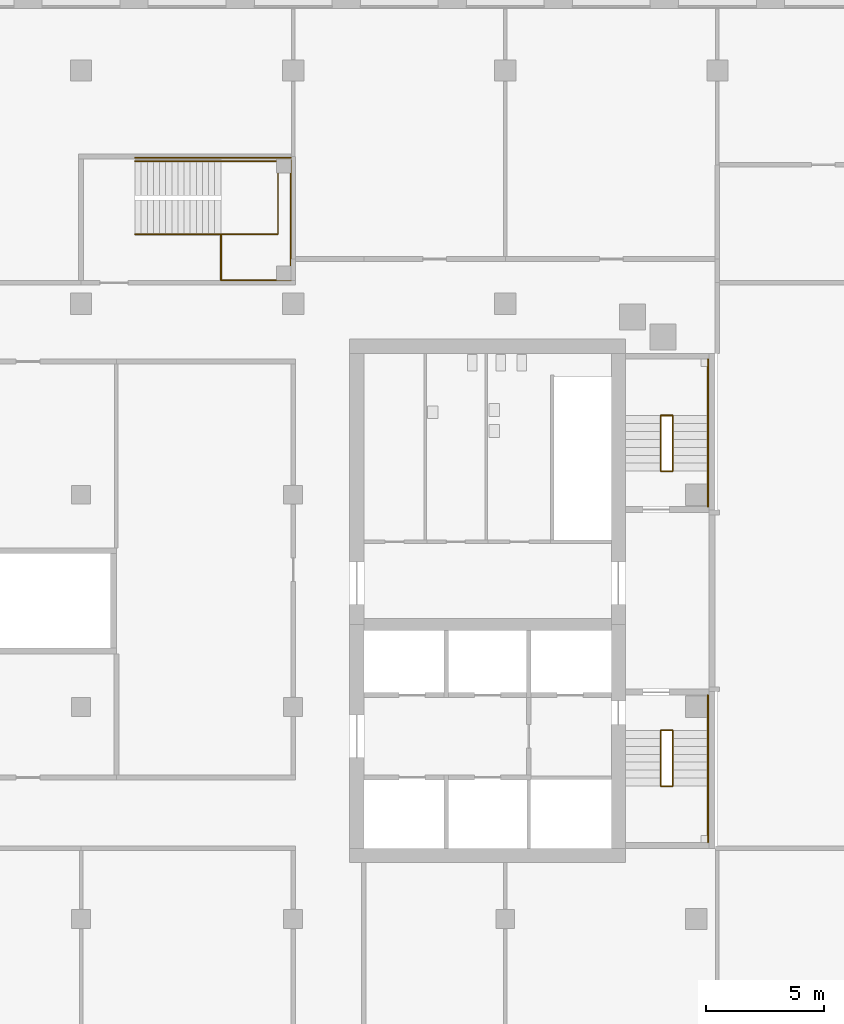
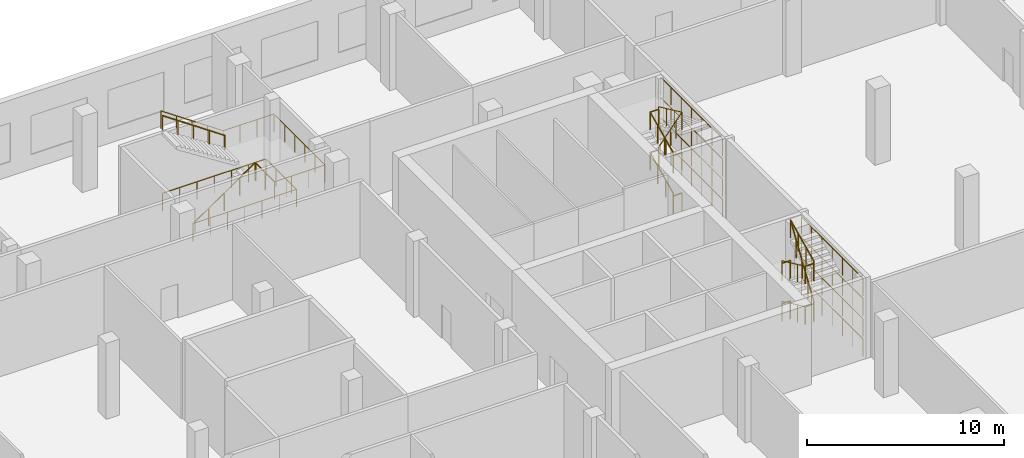
# One storey, part 20 of 23: 30 railings.
"""IFC4 building model written with IfcOpenShell, lengths in metres."""

from ifc_helpers import new_model, si_unit, direction, frame, origin, origin_2d, place, context, subcontext, project, spatial, circle, extrude, material, type_object, element, save


model = new_model("IFC4")

# Units and contexts
model_context = context("Model", 3, precision=1e-05, world=origin(), true_north=direction((0.0, 1.0)))
body_context = subcontext(model_context, "Body", "Model", "MODEL_VIEW")
ifc_project = project(units=[si_unit("LENGTHUNIT", "METRE"), si_unit("AREAUNIT", "SQUARE_METRE"), si_unit("VOLUMEUNIT", "CUBIC_METRE"), si_unit("PLANEANGLEUNIT", "RADIAN"), si_unit("MASSUNIT", "GRAM", prefix="KILO")], contexts=[model_context])

# Site, building, storey
site_placement = place(None, origin())
site = spatial("IfcSite", under=ifc_project, at=site_placement, CompositionType="ELEMENT")
building_placement = place(site_placement, origin())
building = spatial("IfcBuilding", under=site, at=building_placement, Name="Cinnabar Reach Civic Tower", CompositionType="ELEMENT")
storey_placement = place(building_placement, frame((0.0, 0.0, 6.0)))
storey = spatial("IfcBuildingStorey", under=building, at=storey_placement, Name="L01", CompositionType="ELEMENT", Elevation=6.0)

# Railings
ifc_material_1 = material(Name="Stainless steel and glass", Category="steel")
railing_type_1 = type_object("IfcRailingType", Name="Podium guard 1100", PredefinedType="GUARDRAIL", material=ifc_material_1)
railing_1_placement = place(storey_placement, frame((-51.7, 47.05, 0.0)))
element("IfcRailing", 1, at=railing_1_placement, inside=storey, type_object=railing_type_1, Name="Stair guard PS7 L01", PredefinedType="GUARDRAIL", context=body_context, shape_type="SweptSolid", body=[
    extrude(circle(Radius=0.024, at=origin_2d()), frame((0.0, 0.0, 1.076), z_axis=(0.824306135323, 0.0, 0.566144323711), x_axis=(0.0, 1.0, 0.0)), (0.0, 0.0, 1.0), 4.4158),
    extrude(circle(Radius=0.021, at=origin_2d()), origin(), (0.0, 0.0, 1.0), 1.052),
    extrude(circle(Radius=0.021, at=origin_2d()), frame((0.91, 0.0, 0.625)), (0.0, 0.0, 1.0), 1.052),
    extrude(circle(Radius=0.021, at=origin_2d()), frame((1.82, 0.0, 1.25)), (0.0, 0.0, 1.0), 1.052),
    extrude(circle(Radius=0.021, at=origin_2d()), frame((2.73, 0.0, 1.875)), (0.0, 0.0, 1.0), 1.052),
    extrude(circle(Radius=0.021, at=origin_2d()), frame((3.64, 0.0, 2.5)), (0.0, 0.0, 1.0), 1.052),
])
railing_2_placement = place(storey_placement, frame((-48.06, 45.1, 2.5)))
element("IfcRailing", 2, at=railing_2_placement, inside=storey, type_object=railing_type_1, Name="Landing guard PS7 L01", PredefinedType="GUARDRAIL", context=body_context, shape_type="SweptSolid", body=[
    extrude(circle(Radius=0.024, at=origin_2d()), frame((0.0, 0.0, 1.076), z_axis=(1.0, 0.0, 0.0), x_axis=(0.0, 1.0, 0.0)), (0.0, 0.0, 1.0), 2.96),
    extrude(circle(Radius=0.024, at=origin_2d()), frame((2.96, 0.0, 1.076), z_axis=(0.0, 1.0, 0.0), x_axis=(-1.0, 0.0, 0.0)), (0.0, 0.0, 1.0), 5.1),
    extrude(circle(Radius=0.021, at=origin_2d()), origin(), (0.0, 0.0, 1.0), 1.052),
    extrude(circle(Radius=0.021, at=origin_2d()), frame((0.9867, 0.0, 0.0)), (0.0, 0.0, 1.0), 1.052),
    extrude(circle(Radius=0.021, at=origin_2d()), frame((1.9733, 0.0, 0.0)), (0.0, 0.0, 1.0), 1.052),
    extrude(circle(Radius=0.021, at=origin_2d()), frame((2.96, 0.0, 0.0)), (0.0, 0.0, 1.0), 1.052),
    extrude(circle(Radius=0.021, at=origin_2d()), frame((2.96, 1.02, 0.0)), (0.0, 0.0, 1.0), 1.052),
    extrude(circle(Radius=0.021, at=origin_2d()), frame((2.96, 2.04, 0.0)), (0.0, 0.0, 1.0), 1.052),
    extrude(circle(Radius=0.021, at=origin_2d()), frame((2.96, 3.06, 0.0)), (0.0, 0.0, 1.0), 1.052),
    extrude(circle(Radius=0.021, at=origin_2d()), frame((2.96, 4.08, 0.0)), (0.0, 0.0, 1.0), 1.052),
    extrude(circle(Radius=0.021, at=origin_2d()), frame((2.96, 5.1, 0.0)), (0.0, 0.0, 1.0), 1.052),
])
railing_3_placement = place(storey_placement, frame((-48.06, 45.1, 2.5)))
element("IfcRailing", 3, at=railing_3_placement, inside=storey, type_object=railing_type_1, Name="Landing guard PS7 L01 inner", PredefinedType="GUARDRAIL", context=body_context, shape_type="SweptSolid", body=[
    extrude(circle(Radius=0.024, at=origin_2d()), frame((0.0, 0.0, 1.076), z_axis=(0.0, 1.0, 0.0), x_axis=(-1.0, 0.0, 0.0)), (0.0, 0.0, 1.0), 1.9),
    extrude(circle(Radius=0.021, at=origin_2d()), origin(), (0.0, 0.0, 1.0), 1.052),
    extrude(circle(Radius=0.021, at=origin_2d()), frame((0.0, 0.95, 0.0)), (0.0, 0.0, 1.0), 1.052),
    extrude(circle(Radius=0.021, at=origin_2d()), frame((0.0, 1.9, 0.0)), (0.0, 0.0, 1.0), 1.052),
])
railing_4_placement = place(storey_placement, frame((-45.1, 50.3, 2.5)))
element("IfcRailing", 4, at=railing_4_placement, inside=storey, type_object=railing_type_1, Name="Stair wall side guard PS7 L01", PredefinedType="GUARDRAIL", context=body_context, shape_type="SweptSolid", body=[
    extrude(circle(Radius=0.024, at=origin_2d()), frame((0.0, 0.0, 1.076), z_axis=(-1.0, 0.0, 0.0), x_axis=(0.0, -1.0, 0.0)), (0.0, 0.0, 1.0), 2.96),
    extrude(circle(Radius=0.024, at=origin_2d()), frame((-2.96, 0.0, 1.076), z_axis=(-0.824306135323, 0.0, 0.566144323711), x_axis=(0.0, -1.0, 0.0)), (0.0, 0.0, 1.0), 4.4158),
    extrude(circle(Radius=0.021, at=origin_2d()), origin(), (0.0, 0.0, 1.0), 1.052),
    extrude(circle(Radius=0.021, at=origin_2d()), frame((-0.9867, 0.0, 0.0)), (0.0, 0.0, 1.0), 1.052),
    extrude(circle(Radius=0.021, at=origin_2d()), frame((-1.9733, 0.0, 0.0)), (0.0, 0.0, 1.0), 1.052),
    extrude(circle(Radius=0.021, at=origin_2d()), frame((-2.96, 0.0, 0.0)), (0.0, 0.0, 1.0), 1.052),
    extrude(circle(Radius=0.021, at=origin_2d()), frame((-3.87, 0.0, 0.625)), (0.0, 0.0, 1.0), 1.052),
    extrude(circle(Radius=0.021, at=origin_2d()), frame((-4.78, 0.0, 1.25)), (0.0, 0.0, 1.0), 1.052),
    extrude(circle(Radius=0.021, at=origin_2d()), frame((-5.69, 0.0, 1.875)), (0.0, 0.0, 1.0), 1.052),
    extrude(circle(Radius=0.021, at=origin_2d()), frame((-6.6, 0.0, 2.5)), (0.0, 0.0, 1.0), 1.052),
])
railing_5_placement = place(storey_placement, frame((-51.7, 47.05, 0.0)))
element("IfcRailing", 5, at=railing_5_placement, inside=storey, type_object=railing_type_1, Name="Stair well guard PS7 L01", PredefinedType="GUARDRAIL", context=body_context, shape_type="SweptSolid", body=[
    extrude(circle(Radius=0.024, at=origin_2d()), frame((0.0, 0.0, 1.076), z_axis=(1.0, 0.0, 0.0), x_axis=(0.0, 1.0, 0.0)), (0.0, 0.0, 1.0), 6.05),
    extrude(circle(Radius=0.024, at=origin_2d()), frame((6.05, 0.0, 1.076), z_axis=(0.0, 1.0, 0.0), x_axis=(-1.0, 0.0, 0.0)), (0.0, 0.0, 1.0), 3.1),
    extrude(circle(Radius=0.024, at=origin_2d()), frame((6.05, 3.1, 1.076), z_axis=(-1.0, 0.0, 0.0), x_axis=(0.0, -1.0, 0.0)), (0.0, 0.0, 1.0), 6.05),
    extrude(circle(Radius=0.021, at=origin_2d()), origin(), (0.0, 0.0, 1.0), 1.052),
    extrude(circle(Radius=0.021, at=origin_2d()), frame((1.0083, 0.0, 0.0)), (0.0, 0.0, 1.0), 1.052),
    extrude(circle(Radius=0.021, at=origin_2d()), frame((2.0167, 0.0, 0.0)), (0.0, 0.0, 1.0), 1.052),
    extrude(circle(Radius=0.021, at=origin_2d()), frame((3.025, 0.0, 0.0)), (0.0, 0.0, 1.0), 1.052),
    extrude(circle(Radius=0.021, at=origin_2d()), frame((4.0333, 0.0, 0.0)), (0.0, 0.0, 1.0), 1.052),
    extrude(circle(Radius=0.021, at=origin_2d()), frame((5.0417, 0.0, 0.0)), (0.0, 0.0, 1.0), 1.052),
    extrude(circle(Radius=0.021, at=origin_2d()), frame((6.05, 0.0, 0.0)), (0.0, 0.0, 1.0), 1.052),
    extrude(circle(Radius=0.021, at=origin_2d()), frame((6.05, 1.0333, 0.0)), (0.0, 0.0, 1.0), 1.052),
    extrude(circle(Radius=0.021, at=origin_2d()), frame((6.05, 2.0667, 0.0)), (0.0, 0.0, 1.0), 1.052),
    extrude(circle(Radius=0.021, at=origin_2d()), frame((6.05, 3.1, 0.0)), (0.0, 0.0, 1.0), 1.052),
    extrude(circle(Radius=0.021, at=origin_2d()), frame((5.0417, 3.1, 0.0)), (0.0, 0.0, 1.0), 1.052),
    extrude(circle(Radius=0.021, at=origin_2d()), frame((4.0333, 3.1, 0.0)), (0.0, 0.0, 1.0), 1.052),
    extrude(circle(Radius=0.021, at=origin_2d()), frame((3.025, 3.1, 0.0)), (0.0, 0.0, 1.0), 1.052),
    extrude(circle(Radius=0.021, at=origin_2d()), frame((2.0167, 3.1, 0.0)), (0.0, 0.0, 1.0), 1.052),
    extrude(circle(Radius=0.021, at=origin_2d()), frame((1.0083, 3.1, 0.0)), (0.0, 0.0, 1.0), 1.052),
    extrude(circle(Radius=0.021, at=origin_2d()), frame((0.0, 3.1, 0.0)), (0.0, 0.0, 1.0), 1.052),
])
ifc_material_2 = material(Name="Stainless steel", Category="steel")
railing_type_2 = type_object("IfcRailingType", Name="Podium stair handrail 900", PredefinedType="HANDRAIL", material=ifc_material_2)
railing_6_placement = place(storey_placement, frame((-48.06, 50.15, 2.5)))
element("IfcRailing", 6, at=railing_6_placement, inside=storey, type_object=railing_type_2, Name="Stair handrail PS7 L01", PredefinedType="HANDRAIL", context=body_context, shape_type="SweptSolid", body=[
    extrude(circle(Radius=0.024, at=origin_2d()), frame((0.0, 0.0, 0.876), z_axis=(-0.824306135323, 0.0, 0.566144323711), x_axis=(0.0, -1.0, 0.0)), (0.0, 0.0, 1.0), 4.4158),
    extrude(circle(Radius=0.021, at=origin_2d()), origin(), (0.0, 0.0, 1.0), 0.852),
    extrude(circle(Radius=0.021, at=origin_2d()), frame((-0.91, 0.0, 0.625)), (0.0, 0.0, 1.0), 0.852),
    extrude(circle(Radius=0.021, at=origin_2d()), frame((-1.82, 0.0, 1.25)), (0.0, 0.0, 1.0), 0.852),
    extrude(circle(Radius=0.021, at=origin_2d()), frame((-2.73, 0.0, 1.875)), (0.0, 0.0, 1.0), 0.852),
    extrude(circle(Radius=0.021, at=origin_2d()), frame((-3.64, 0.0, 2.5)), (0.0, 0.0, 1.0), 0.852),
])
railing_type_3 = type_object("IfcRailingType", Name="T2 Stair guard 1100", PredefinedType="GUARDRAIL", material=ifc_material_2)
for number, where, name in (
    (7, (-27.4, 21.25, 0.0), "Stair guard 1"),
    (8, (-27.4, 21.25, 1.25), "Stair guard 1"),
    (9, (-27.4, 21.25, 3.75), "Stair guard 1"),
    (10, (-27.4, 21.25, 2.5), "Stair guard 1"),
):
    element("IfcRailing", number, at=place(storey_placement, frame(where)), inside=storey, type_object=railing_type_3, Name=name, PredefinedType="GUARDRAIL", context=body_context, shape_type="SweptSolid", body=[
        extrude(circle(Radius=0.024, at=origin_2d()), frame((0.0, 0.0, 1.076), z_axis=(0.0, 1.0, 0.0), x_axis=(-1.0, 0.0, 0.0)), (0.0, 0.0, 1.0), 6.25),
        extrude(circle(Radius=0.021, at=origin_2d()), origin(), (0.0, 0.0, 1.0), 1.052),
        extrude(circle(Radius=0.021, at=origin_2d()), frame((0.0, 1.0417, 0.0)), (0.0, 0.0, 1.0), 1.052),
        extrude(circle(Radius=0.021, at=origin_2d()), frame((0.0, 2.0833, 0.0)), (0.0, 0.0, 1.0), 1.052),
        extrude(circle(Radius=0.021, at=origin_2d()), frame((0.0, 3.125, 0.0)), (0.0, 0.0, 1.0), 1.052),
        extrude(circle(Radius=0.021, at=origin_2d()), frame((0.0, 4.1667, 0.0)), (0.0, 0.0, 1.0), 1.052),
        extrude(circle(Radius=0.021, at=origin_2d()), frame((0.0, 5.2083, 0.0)), (0.0, 0.0, 1.0), 1.052),
        extrude(circle(Radius=0.021, at=origin_2d()), frame((0.0, 6.25, 0.0)), (0.0, 0.0, 1.0), 1.052),
    ])
for number, where, name in (
    (11, (-29.4, 26.0, 0.0), "Stair guard 1"),
    (12, (-29.4, 23.6375, 1.25), "Stair guard 1"),
):
    element("IfcRailing", number, at=place(storey_placement, frame(where)), inside=storey, type_object=railing_type_3, Name=name, PredefinedType="GUARDRAIL", context=body_context, shape_type="SweptSolid", body=[
        extrude(circle(Radius=0.024, at=origin_2d()), frame((0.0, 0.0, 1.076), z_axis=(1.0, 0.0, 0.0), x_axis=(0.0, 1.0, 0.0)), (0.0, 0.0, 1.0), 0.5),
        extrude(circle(Radius=0.021, at=origin_2d()), origin(), (0.0, 0.0, 1.0), 1.052),
        extrude(circle(Radius=0.021, at=origin_2d()), frame((0.5, 0.0, 0.0)), (0.0, 0.0, 1.0), 1.052),
    ])
railing_7_placement = place(storey_placement, frame((-29.4, 26.0, 0.1562)))
element("IfcRailing", 13, at=railing_7_placement, inside=storey, type_object=railing_type_3, Name="Stair guard 1", PredefinedType="GUARDRAIL", context=body_context, shape_type="SweptSolid", body=[
    extrude(circle(Radius=0.024, at=origin_2d()), frame((0.0, 0.0, 1.076), z_axis=(0.0, -0.907459584921, 0.420139383698), x_axis=(1.0, 0.0, 0.0)), (0.0, 0.0, 1.0), 2.6034),
    extrude(circle(Radius=0.021, at=origin_2d()), origin(), (0.0, 0.0, 1.0), 1.052),
    extrude(circle(Radius=0.021, at=origin_2d()), frame((0.0, -0.7875, 0.3646)), (0.0, 0.0, 1.0), 1.052),
    extrude(circle(Radius=0.021, at=origin_2d()), frame((0.0, -1.575, 0.7292)), (0.0, 0.0, 1.0), 1.052),
    extrude(circle(Radius=0.021, at=origin_2d()), frame((0.0, -2.3625, 1.0938)), (0.0, 0.0, 1.0), 1.052),
])
railing_8_placement = place(storey_placement, frame((-28.9, 23.6375, 1.4062)))
element("IfcRailing", 14, at=railing_8_placement, inside=storey, type_object=railing_type_3, Name="Stair guard 1", PredefinedType="GUARDRAIL", context=body_context, shape_type="SweptSolid", body=[
    extrude(circle(Radius=0.024, at=origin_2d()), frame((0.0, 0.0, 1.076), z_axis=(0.0, 0.549317534027, 0.835613694724), x_axis=(-1.0, 0.0, 0.0)), (0.0, 0.0, 1.0), 4.3008),
    extrude(circle(Radius=0.021, at=origin_2d()), origin(), (0.0, 0.0, 1.0), 1.052),
    extrude(circle(Radius=0.021, at=origin_2d()), frame((0.0, 0.5906, 0.8984)), (0.0, 0.0, 1.0), 1.052),
    extrude(circle(Radius=0.021, at=origin_2d()), frame((0.0, 1.1813, 1.7969)), (0.0, 0.0, 1.0), 1.052),
    extrude(circle(Radius=0.021, at=origin_2d()), frame((0.0, 1.7719, 2.6953)), (0.0, 0.0, 1.0), 1.052),
    extrude(circle(Radius=0.021, at=origin_2d()), frame((0.0, 2.3625, 3.5938)), (0.0, 0.0, 1.0), 1.052),
])
for number, where, name in (
    (15, (-29.4, 26.0, 2.5), "Stair guard 1"),
    (16, (-29.4, 23.6375, 3.75), "Stair guard 1"),
):
    element("IfcRailing", number, at=place(storey_placement, frame(where)), inside=storey, type_object=railing_type_3, Name=name, PredefinedType="GUARDRAIL", context=body_context, shape_type="SweptSolid", body=[
        extrude(circle(Radius=0.024, at=origin_2d()), frame((0.0, 0.0, 1.076), z_axis=(1.0, 0.0, 0.0), x_axis=(0.0, 1.0, 0.0)), (0.0, 0.0, 1.0), 0.5),
        extrude(circle(Radius=0.021, at=origin_2d()), origin(), (0.0, 0.0, 1.0), 1.052),
        extrude(circle(Radius=0.021, at=origin_2d()), frame((0.5, 0.0, 0.0)), (0.0, 0.0, 1.0), 1.052),
    ])
railing_9_placement = place(storey_placement, frame((-29.4, 26.0, 2.6562)))
element("IfcRailing", 17, at=railing_9_placement, inside=storey, type_object=railing_type_3, Name="Stair guard 1", PredefinedType="GUARDRAIL", context=body_context, shape_type="SweptSolid", body=[
    extrude(circle(Radius=0.024, at=origin_2d()), frame((0.0, 0.0, 1.076), z_axis=(0.0, -0.907459584921, 0.420139383698), x_axis=(1.0, 0.0, 0.0)), (0.0, 0.0, 1.0), 2.6034),
    extrude(circle(Radius=0.021, at=origin_2d()), origin(), (0.0, 0.0, 1.0), 1.052),
    extrude(circle(Radius=0.021, at=origin_2d()), frame((0.0, -0.7875, 0.3646)), (0.0, 0.0, 1.0), 1.052),
    extrude(circle(Radius=0.021, at=origin_2d()), frame((0.0, -1.575, 0.7292)), (0.0, 0.0, 1.0), 1.052),
    extrude(circle(Radius=0.021, at=origin_2d()), frame((0.0, -2.3625, 1.0938)), (0.0, 0.0, 1.0), 1.052),
])
railing_10_placement = place(storey_placement, frame((-28.9, 23.6375, 3.9062)))
element("IfcRailing", 18, at=railing_10_placement, inside=storey, type_object=railing_type_3, Name="Stair guard 1", PredefinedType="GUARDRAIL", context=body_context, shape_type="SweptSolid", body=[
    extrude(circle(Radius=0.024, at=origin_2d()), frame((0.0, 0.0, 1.076), z_axis=(0.0, 0.907459584921, 0.420139383698), x_axis=(-1.0, 0.0, 0.0)), (0.0, 0.0, 1.0), 2.6034),
    extrude(circle(Radius=0.021, at=origin_2d()), origin(), (0.0, 0.0, 1.0), 1.052),
    extrude(circle(Radius=0.021, at=origin_2d()), frame((0.0, 0.7875, 0.3646)), (0.0, 0.0, 1.0), 1.052),
    extrude(circle(Radius=0.021, at=origin_2d()), frame((0.0, 1.575, 0.7292)), (0.0, 0.0, 1.0), 1.052),
    extrude(circle(Radius=0.021, at=origin_2d()), frame((0.0, 2.3625, 1.0938)), (0.0, 0.0, 1.0), 1.052),
])
for number, where, name in (
    (19, (-27.4, 35.5, 0.0), "Stair guard 2"),
    (20, (-27.4, 35.5, 1.25), "Stair guard 2"),
    (21, (-27.4, 35.5, 3.75), "Stair guard 2"),
    (22, (-27.4, 35.5, 2.5), "Stair guard 2"),
):
    element("IfcRailing", number, at=place(storey_placement, frame(where)), inside=storey, type_object=railing_type_3, Name=name, PredefinedType="GUARDRAIL", context=body_context, shape_type="SweptSolid", body=[
        extrude(circle(Radius=0.024, at=origin_2d()), frame((0.0, 0.0, 1.076), z_axis=(0.0, 1.0, 0.0), x_axis=(-1.0, 0.0, 0.0)), (0.0, 0.0, 1.0), 6.25),
        extrude(circle(Radius=0.021, at=origin_2d()), origin(), (0.0, 0.0, 1.0), 1.052),
        extrude(circle(Radius=0.021, at=origin_2d()), frame((0.0, 1.0417, 0.0)), (0.0, 0.0, 1.0), 1.052),
        extrude(circle(Radius=0.021, at=origin_2d()), frame((0.0, 2.0833, 0.0)), (0.0, 0.0, 1.0), 1.052),
        extrude(circle(Radius=0.021, at=origin_2d()), frame((0.0, 3.125, 0.0)), (0.0, 0.0, 1.0), 1.052),
        extrude(circle(Radius=0.021, at=origin_2d()), frame((0.0, 4.1667, 0.0)), (0.0, 0.0, 1.0), 1.052),
        extrude(circle(Radius=0.021, at=origin_2d()), frame((0.0, 5.2083, 0.0)), (0.0, 0.0, 1.0), 1.052),
        extrude(circle(Radius=0.021, at=origin_2d()), frame((0.0, 6.25, 0.0)), (0.0, 0.0, 1.0), 1.052),
    ])
for number, where, name in (
    (23, (-29.4, 37.0, 0.0), "Stair guard 2"),
    (24, (-29.4, 39.3625, 1.25), "Stair guard 2"),
):
    element("IfcRailing", number, at=place(storey_placement, frame(where)), inside=storey, type_object=railing_type_3, Name=name, PredefinedType="GUARDRAIL", context=body_context, shape_type="SweptSolid", body=[
        extrude(circle(Radius=0.024, at=origin_2d()), frame((0.0, 0.0, 1.076), z_axis=(1.0, 0.0, 0.0), x_axis=(0.0, 1.0, 0.0)), (0.0, 0.0, 1.0), 0.5),
        extrude(circle(Radius=0.021, at=origin_2d()), origin(), (0.0, 0.0, 1.0), 1.052),
        extrude(circle(Radius=0.021, at=origin_2d()), frame((0.5, 0.0, 0.0)), (0.0, 0.0, 1.0), 1.052),
    ])
railing_11_placement = place(storey_placement, frame((-29.4, 37.0, 0.1562)))
element("IfcRailing", 25, at=railing_11_placement, inside=storey, type_object=railing_type_3, Name="Stair guard 2", PredefinedType="GUARDRAIL", context=body_context, shape_type="SweptSolid", body=[
    extrude(circle(Radius=0.024, at=origin_2d()), frame((0.0, 0.0, 1.076), z_axis=(0.0, 0.907459584921, 0.420139383698), x_axis=(-1.0, 0.0, 0.0)), (0.0, 0.0, 1.0), 2.6034),
    extrude(circle(Radius=0.021, at=origin_2d()), origin(), (0.0, 0.0, 1.0), 1.052),
    extrude(circle(Radius=0.021, at=origin_2d()), frame((0.0, 0.7875, 0.3646)), (0.0, 0.0, 1.0), 1.052),
    extrude(circle(Radius=0.021, at=origin_2d()), frame((0.0, 1.575, 0.7292)), (0.0, 0.0, 1.0), 1.052),
    extrude(circle(Radius=0.021, at=origin_2d()), frame((0.0, 2.3625, 1.0938)), (0.0, 0.0, 1.0), 1.052),
])
railing_12_placement = place(storey_placement, frame((-28.9, 39.3625, 1.4062)))
element("IfcRailing", 26, at=railing_12_placement, inside=storey, type_object=railing_type_3, Name="Stair guard 2", PredefinedType="GUARDRAIL", context=body_context, shape_type="SweptSolid", body=[
    extrude(circle(Radius=0.024, at=origin_2d()), frame((0.0, 0.0, 1.076), z_axis=(0.0, -0.549317534027, 0.835613694724), x_axis=(1.0, 0.0, 0.0)), (0.0, 0.0, 1.0), 4.3008),
    extrude(circle(Radius=0.021, at=origin_2d()), origin(), (0.0, 0.0, 1.0), 1.052),
    extrude(circle(Radius=0.021, at=origin_2d()), frame((0.0, -0.5906, 0.8984)), (0.0, 0.0, 1.0), 1.052),
    extrude(circle(Radius=0.021, at=origin_2d()), frame((0.0, -1.1812, 1.7969)), (0.0, 0.0, 1.0), 1.052),
    extrude(circle(Radius=0.021, at=origin_2d()), frame((0.0, -1.7719, 2.6953)), (0.0, 0.0, 1.0), 1.052),
    extrude(circle(Radius=0.021, at=origin_2d()), frame((0.0, -2.3625, 3.5938)), (0.0, 0.0, 1.0), 1.052),
])
for number, where, name in (
    (27, (-29.4, 37.0, 2.5), "Stair guard 2"),
    (28, (-29.4, 39.3625, 3.75), "Stair guard 2"),
):
    element("IfcRailing", number, at=place(storey_placement, frame(where)), inside=storey, type_object=railing_type_3, Name=name, PredefinedType="GUARDRAIL", context=body_context, shape_type="SweptSolid", body=[
        extrude(circle(Radius=0.024, at=origin_2d()), frame((0.0, 0.0, 1.076), z_axis=(1.0, 0.0, 0.0), x_axis=(0.0, 1.0, 0.0)), (0.0, 0.0, 1.0), 0.5),
        extrude(circle(Radius=0.021, at=origin_2d()), origin(), (0.0, 0.0, 1.0), 1.052),
        extrude(circle(Radius=0.021, at=origin_2d()), frame((0.5, 0.0, 0.0)), (0.0, 0.0, 1.0), 1.052),
    ])
railing_13_placement = place(storey_placement, frame((-29.4, 37.0, 2.6562)))
element("IfcRailing", 29, at=railing_13_placement, inside=storey, type_object=railing_type_3, Name="Stair guard 2", PredefinedType="GUARDRAIL", context=body_context, shape_type="SweptSolid", body=[
    extrude(circle(Radius=0.024, at=origin_2d()), frame((0.0, 0.0, 1.076), z_axis=(0.0, 0.907459584921, 0.420139383698), x_axis=(-1.0, 0.0, 0.0)), (0.0, 0.0, 1.0), 2.6034),
    extrude(circle(Radius=0.021, at=origin_2d()), origin(), (0.0, 0.0, 1.0), 1.052),
    extrude(circle(Radius=0.021, at=origin_2d()), frame((0.0, 0.7875, 0.3646)), (0.0, 0.0, 1.0), 1.052),
    extrude(circle(Radius=0.021, at=origin_2d()), frame((0.0, 1.575, 0.7292)), (0.0, 0.0, 1.0), 1.052),
    extrude(circle(Radius=0.021, at=origin_2d()), frame((0.0, 2.3625, 1.0938)), (0.0, 0.0, 1.0), 1.052),
])
railing_14_placement = place(storey_placement, frame((-28.9, 39.3625, 3.9062)))
element("IfcRailing", 30, at=railing_14_placement, inside=storey, type_object=railing_type_3, Name="Stair guard 2", PredefinedType="GUARDRAIL", context=body_context, shape_type="SweptSolid", body=[
    extrude(circle(Radius=0.024, at=origin_2d()), frame((0.0, 0.0, 1.076), z_axis=(0.0, -0.907459584921, 0.420139383698), x_axis=(1.0, 0.0, 0.0)), (0.0, 0.0, 1.0), 2.6034),
    extrude(circle(Radius=0.021, at=origin_2d()), origin(), (0.0, 0.0, 1.0), 1.052),
    extrude(circle(Radius=0.021, at=origin_2d()), frame((0.0, -0.7875, 0.3646)), (0.0, 0.0, 1.0), 1.052),
    extrude(circle(Radius=0.021, at=origin_2d()), frame((0.0, -1.575, 0.7292)), (0.0, 0.0, 1.0), 1.052),
    extrude(circle(Radius=0.021, at=origin_2d()), frame((0.0, -2.3625, 1.0938)), (0.0, 0.0, 1.0), 1.052),
])

save(model, "model.ifc")
